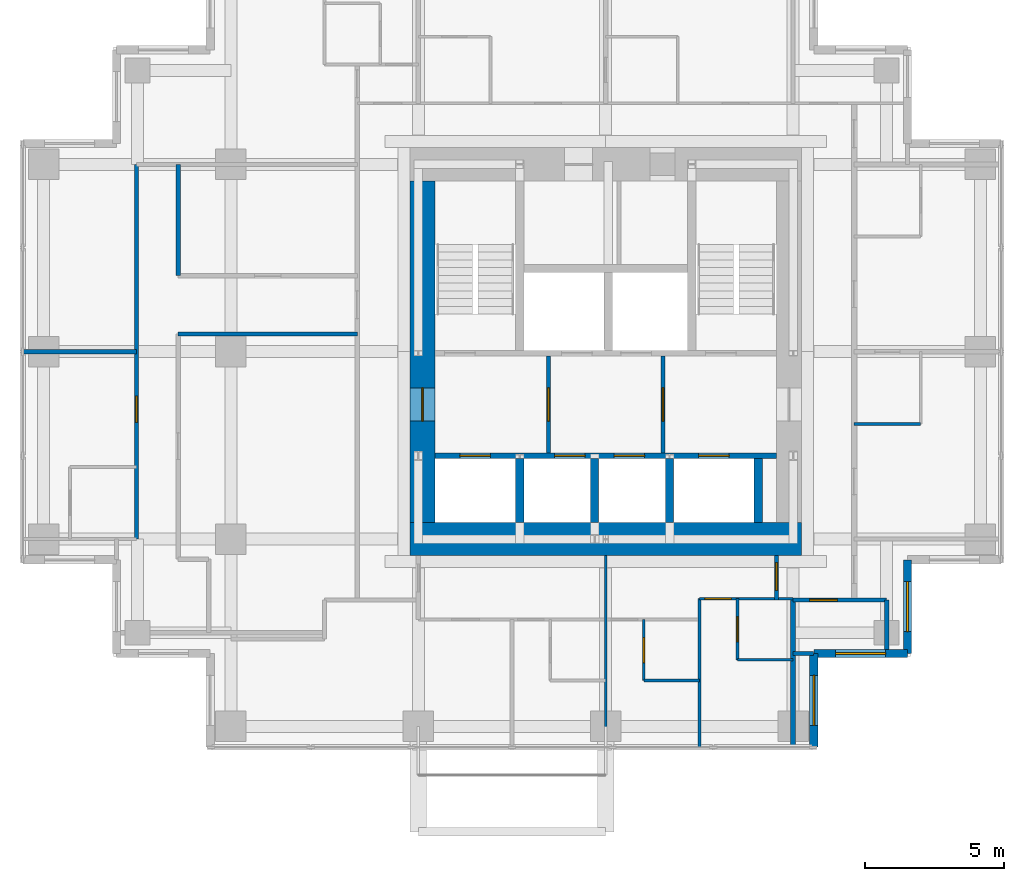
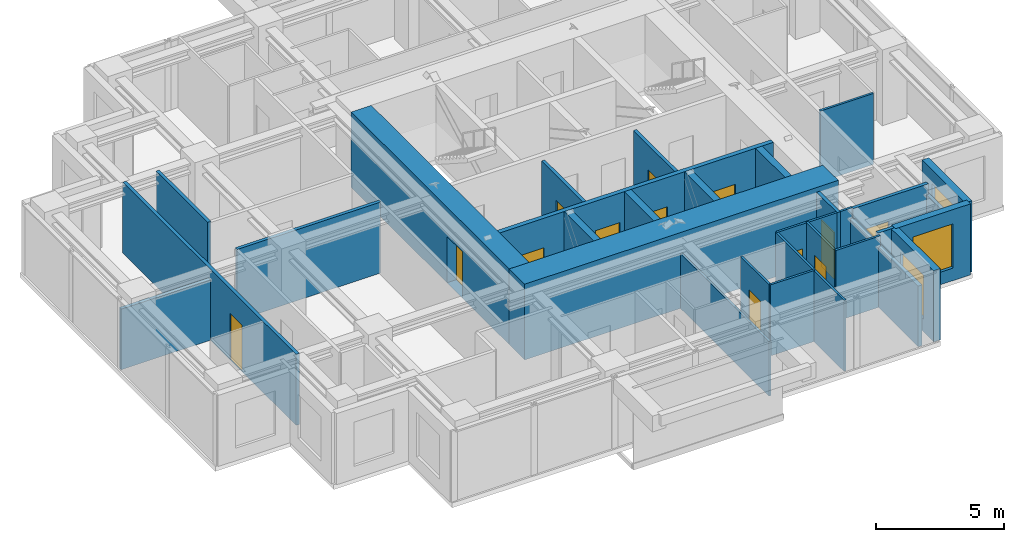
# One storey, part 4 of 7: 29 walls, 13 doors, 3 windows, 16 openings.
"""IFC4 building model written with IfcOpenShell, lengths in metres."""

from ifc_helpers import new_model, si_unit, direction, frame, frame_2d, origin, place, context, subcontext, project, spatial, rectangle, extrude, material, layer, layer_set, type_object, element, fill, save


model = new_model("IFC4")

# Units and contexts
model_context = context("Model", 3, precision=1e-05, world=origin(), true_north=direction((0.0, 1.0)))
body_context = subcontext(model_context, "Body", "Model", "MODEL_VIEW")
ifc_project = project(units=[si_unit("LENGTHUNIT", "METRE"), si_unit("AREAUNIT", "SQUARE_METRE"), si_unit("VOLUMEUNIT", "CUBIC_METRE"), si_unit("PLANEANGLEUNIT", "RADIAN"), si_unit("MASSUNIT", "GRAM", prefix="KILO")], contexts=[model_context])

# Site, building, storey
site_placement = place(None, origin())
site = spatial("IfcSite", under=ifc_project, at=site_placement, CompositionType="ELEMENT")
building_placement = place(site_placement, origin())
building = spatial("IfcBuilding", under=site, at=building_placement, Name="Nyansa Garden Tower", CompositionType="ELEMENT")
storey_placement = place(building_placement, frame((0.0, 0.0, 215.10009765625)))
storey = spatial("IfcBuildingStorey", under=building, at=storey_placement, Name="L58", CompositionType="ELEMENT", Elevation=215.10009765625)

# Wall
ifc_material_1 = material(Name="Dense blockwork, plastered both sides, 55 dB", Category="masonry")
ifc_layer_1 = layer(ifc_material_1, 0.175048828125)
ifc_layer_set_1 = layer_set([ifc_layer_1], Name="Acoustic party wall PW175")
wall_type_1 = type_object("IfcWallType", Name="Acoustic party wall PW175", PredefinedType="PARTITIONING", material=ifc_layer_set_1)
wall_1_placement = place(storey_placement, frame((27.0, 6.01611328125, 0.0), z_axis=(0.0, 0.0, 1.0), x_axis=(0.0, 1.0, 0.0)))
element("IfcWall", 1, at=wall_1_placement, inside=storey, type_object=wall_type_1, Name="Party wall", PredefinedType="PARTITIONING", context=body_context, shape_type="SweptSolid", body=[
    extrude(rectangle(XDim=5.333984375, YDim=0.175048828125, at=frame_2d((2.6669921875, 0.0))), origin(), (0.0, 0.0, 1.0), 2.876953125),
])

# Wall, openings, doors
ifc_material_2 = material(Name="Concrete C70/85", Category="concrete")
ifc_layer_2 = layer(ifc_material_2, 0.199951171875)
ifc_layer_set_2 = layer_set([ifc_layer_2], Name="Core inner wall CI200")
wall_type_2 = type_object("IfcWallType", Name="Core inner wall CI200", PredefinedType="SHEAR", material=ifc_layer_set_2)
wall_2_placement = place(storey_placement, frame((14.10009765625, 16.5, 0.0), z_axis=(0.0, 0.0, 1.0), x_axis=(1.0, 0.0, 0.0)))
wall_2 = element("IfcWall", 2, at=wall_2_placement, inside=storey, type_object=wall_type_2, Name="Core inner wall L58", PredefinedType="SHEAR", context=body_context, shape_type="SweptSolid", body=[
    extrude(rectangle(XDim=12.2998046875, YDim=0.199951171875, at=frame_2d((6.14990234375, 0.0))), origin(), (0.0, 0.0, 1.0), 3.599853515625),
])
opening_1_placement = place(wall_2_placement, frame((0.89990234375, 0.0, 0.0)))
opening_1 = element("IfcOpeningElement", 3, at=opening_1_placement, cuts=wall_2, Name="Opening LD-F", PredefinedType="OPENING", context=body_context, shape_type="SweptSolid", body=[
    extrude(rectangle(XDim=1.10009765625, YDim=2.199951171875, at=frame_2d((0.550048828125, 1.10009765625))), frame((0.0, 0.10986328125, 0.0), z_axis=(0.0, -1.0, 0.0), x_axis=(1.0, 0.0, 0.0)), (0.0, 0.0, 1.0), 0.219970703125),
])
opening_2_placement = place(wall_2_placement, frame((4.31005859375, 0.0, 0.0)))
opening_2 = element("IfcOpeningElement", 4, at=opening_2_placement, cuts=wall_2, Name="Opening LD-B", PredefinedType="OPENING", context=body_context, shape_type="SweptSolid", body=[
    extrude(rectangle(XDim=1.10009765625, YDim=2.199951171875, at=frame_2d((0.550048828125, 1.10009765625))), frame((0.0, 0.10986328125, 0.0), z_axis=(0.0, -1.0, 0.0), x_axis=(1.0, 0.0, 0.0)), (0.0, 0.0, 1.0), 0.219970703125),
])
opening_3_placement = place(wall_2_placement, frame((6.449951171875, 0.0, 0.0)))
opening_3 = element("IfcOpeningElement", 5, at=opening_3_placement, cuts=wall_2, Name="Opening LD-B", PredefinedType="OPENING", context=body_context, shape_type="SweptSolid", body=[
    extrude(rectangle(XDim=1.10009765625, YDim=2.199951171875, at=frame_2d((0.550048828125, 1.10009765625))), frame((0.0, 0.10986328125, 0.0), z_axis=(0.0, -1.0, 0.0), x_axis=(1.0, 0.0, 0.0)), (0.0, 0.0, 1.0), 0.219970703125),
])
opening_4_placement = place(wall_2_placement, frame((9.5, 0.0, 0.0)))
opening_4 = element("IfcOpeningElement", 6, at=opening_4_placement, cuts=wall_2, Name="Opening LD-F", PredefinedType="OPENING", context=body_context, shape_type="SweptSolid", body=[
    extrude(rectangle(XDim=1.10009765625, YDim=2.199951171875, at=frame_2d((0.550048828125, 1.10009765625))), frame((0.0, 0.10986328125, 0.0), z_axis=(0.0, -1.0, 0.0), x_axis=(1.0, 0.0, 0.0)), (0.0, 0.0, 1.0), 0.219970703125),
])
ifc_material_3 = material(Name="Stainless steel centre-opening landing door of the high-rise lift, E 120", Category="steel")
door_type_1 = type_object("IfcDoorType", Name="Lift landing door LD-B 1100x2200", OperationType="DOUBLE_DOOR_SLIDING", PredefinedType="DOOR", material=ifc_material_3)
door_1_placement = place(opening_2_placement, origin())
door_1 = element("IfcDoor", 7, at=door_1_placement, inside=storey, type_object=door_type_1, Name="Landing door B1", OperationType="DOUBLE_DOOR_SLIDING", OverallHeight=2.199951171875, OverallWidth=1.10009765625, PredefinedType="DOOR", context=body_context, shape_type="SweptSolid", body=[
    extrude(rectangle(XDim=1.10009765625, YDim=2.199951171875, at=frame_2d((0.550048828125, 1.10009765625))), frame((0.0, 0.02490234375, 0.0), z_axis=(0.0, -1.0, 0.0), x_axis=(1.0, 0.0, 0.0)), (0.0, 0.0, 1.0), 0.050048828125),
])
fill(opening_2, door_1)
door_2_placement = place(opening_3_placement, origin())
door_2 = element("IfcDoor", 8, at=door_2_placement, inside=storey, type_object=door_type_1, Name="Landing door B2", OperationType="DOUBLE_DOOR_SLIDING", OverallHeight=2.199951171875, OverallWidth=1.10009765625, PredefinedType="DOOR", context=body_context, shape_type="SweptSolid", body=[
    extrude(rectangle(XDim=1.10009765625, YDim=2.199951171875, at=frame_2d((0.550048828125, 1.10009765625))), frame((0.0, 0.02490234375, 0.0), z_axis=(0.0, -1.0, 0.0), x_axis=(1.0, 0.0, 0.0)), (0.0, 0.0, 1.0), 0.050048828125),
])
fill(opening_3, door_2)
ifc_material_4 = material(Name="Stainless steel centre-opening landing door of the firefighting lift, EN 81-72, E 120", Category="steel")
door_type_2 = type_object("IfcDoorType", Name="Lift landing door LD-F 1100x2200", OperationType="DOUBLE_DOOR_SLIDING", PredefinedType="DOOR", material=ifc_material_4)
door_3_placement = place(opening_1_placement, origin())
door_3 = element("IfcDoor", 9, at=door_3_placement, inside=storey, type_object=door_type_2, Name="Landing door FF1", OperationType="DOUBLE_DOOR_SLIDING", OverallHeight=2.199951171875, OverallWidth=1.10009765625, PredefinedType="DOOR", context=body_context, shape_type="SweptSolid", body=[
    extrude(rectangle(XDim=1.10009765625, YDim=2.199951171875, at=frame_2d((0.550048828125, 1.10009765625))), frame((0.0, 0.02490234375, 0.0), z_axis=(0.0, -1.0, 0.0), x_axis=(1.0, 0.0, 0.0)), (0.0, 0.0, 1.0), 0.050048828125),
])
fill(opening_1, door_3)
door_4_placement = place(opening_4_placement, origin())
door_4 = element("IfcDoor", 10, at=door_4_placement, inside=storey, type_object=door_type_2, Name="Landing door FF2", OperationType="DOUBLE_DOOR_SLIDING", OverallHeight=2.199951171875, OverallWidth=1.10009765625, PredefinedType="DOOR", context=body_context, shape_type="SweptSolid", body=[
    extrude(rectangle(XDim=1.10009765625, YDim=2.199951171875, at=frame_2d((0.550048828125, 1.10009765625))), frame((0.0, 0.02490234375, 0.0), z_axis=(0.0, -1.0, 0.0), x_axis=(1.0, 0.0, 0.0)), (0.0, 0.0, 1.0), 0.050048828125),
])
fill(opening_4, door_4)

# Walls
ifc_material_5 = material(Name="Concrete C70/85", Category="concrete")
ifc_layer_3 = layer(ifc_material_5, 0.300048828125)
ifc_layer_set_3 = layer_set([ifc_layer_3], Name="Core inner wall CI300")
wall_type_3 = type_object("IfcWallType", Name="Core inner wall CI300", PredefinedType="SHEAR", material=ifc_layer_set_3)
for number, where, z_axis, x_axis, name in (
    (11, (17.14990234375, 14.10009765625, 0.0), (0.0, 0.0, 1.0), (0.0, 1.0, 0.0), "Core inner wall L58"),
    (12, (19.85009765625, 14.10009765625, 0.0), (0.0, 0.0, 1.0), (0.0, 1.0, 0.0), "Core inner wall L58"),
    (13, (22.550048828125, 14.10009765625, 0.0), (0.0, 0.0, 1.0), (0.0, 1.0, 0.0), "Core inner wall L58"),
    (14, (25.75, 14.10009765625, 0.0), (0.0, 0.0, 1.0), (0.0, 1.0, 0.0), "Core inner wall L58"),
):
    element("IfcWall", number, at=place(storey_placement, frame(where, z_axis=z_axis, x_axis=x_axis)), inside=storey, type_object=wall_type_3, Name=name, PredefinedType="SHEAR", context=body_context, shape_type="SweptSolid", body=[
        extrude(rectangle(XDim=2.2998046875, YDim=0.300048828125, at=frame_2d((1.14990234375, 0.0))), origin(), (0.0, 0.0, 1.0), 3.599853515625),
    ])
ifc_material_6 = material(Name="Concrete C80/95", Category="concrete")
ifc_layer_4 = layer(ifc_material_6, 1.199951171875)
ifc_layer_set_4 = layer_set([ifc_layer_4], Name="Core wall CW1200")
wall_type_4 = type_object("IfcWallType", Name="Core wall CW1200", PredefinedType="SHEAR", material=ifc_layer_set_4)
wall_3_placement = place(storey_placement, frame((13.199951171875, 13.5, 0.0), z_axis=(0.0, 0.0, 1.0), x_axis=(1.0, 0.0, 0.0)))
element("IfcWall", 15, at=wall_3_placement, inside=storey, type_object=wall_type_4, Name="Core wall S L58", PredefinedType="SHEAR", context=body_context, shape_type="SweptSolid", body=[
    extrude(rectangle(XDim=14.10009765625, YDim=1.199951171875, at=frame_2d((7.050048828125, 0.0))), origin(), (0.0, 0.0, 1.0), 3.599853515625),
])

# Wall, opening, door
ifc_material_7 = material(Name="Concrete C80/95", Category="concrete")
ifc_layer_5 = layer(ifc_material_7, 0.89990234375)
ifc_layer_set_5 = layer_set([ifc_layer_5], Name="Core wall CW900")
wall_type_5 = type_object("IfcWallType", Name="Core wall CW900", PredefinedType="SHEAR", material=ifc_layer_set_5)
wall_4_placement = place(storey_placement, frame((13.64990234375, 26.39990234375, 0.0), z_axis=(0.0, 0.0, 1.0), x_axis=(0.0, -1.0, 0.0)))
wall_4 = element("IfcWall", 16, at=wall_4_placement, inside=storey, type_object=wall_type_5, Name="Core wall W L58", PredefinedType="SHEAR", context=body_context, shape_type="SweptSolid", body=[
    extrude(rectangle(XDim=12.2998046875, YDim=0.89990234375, at=frame_2d((6.14990234375, 0.0))), origin(), (0.0, 0.0, 1.0), 3.599853515625),
])
opening_5_placement = place(wall_4_placement, frame((7.449951171875, 0.0, 0.0)))
opening_5 = element("IfcOpeningElement", 17, at=opening_5_placement, cuts=wall_4, Name="Opening D06", PredefinedType="OPENING", context=body_context, shape_type="SweptSolid", body=[
    extrude(rectangle(XDim=1.199951171875, YDim=2.199951171875, at=frame_2d((0.60009765625, 1.10009765625))), frame((0.0, 0.4599609375, 0.0), z_axis=(0.0, -1.0, 0.0), x_axis=(1.0, 0.0, 0.0)), (0.0, 0.0, 1.0), 0.919921875),
])
ifc_material_8 = material(Name="Steel door, 120 minute fire resisting", Category="steel")
door_type_3 = type_object("IfcDoorType", Name="Lobby door D06 1200x2200", OperationType="DOUBLE_DOOR_SINGLE_SWING", PredefinedType="DOOR", material=ifc_material_8)
door_5_placement = place(opening_5_placement, origin())
door_5 = element("IfcDoor", 18, at=door_5_placement, inside=storey, type_object=door_type_3, Name="Lift lobby door west", OperationType="DOUBLE_DOOR_SINGLE_SWING", OverallHeight=2.199951171875, OverallWidth=1.199951171875, PredefinedType="DOOR", context=body_context, shape_type="SweptSolid", body=[
    extrude(rectangle(XDim=1.199951171875, YDim=2.199951171875, at=frame_2d((0.60009765625, 1.10009765625))), frame((0.0, 0.02490234375, 0.0), z_axis=(0.0, -1.0, 0.0), x_axis=(1.0, 0.0, 0.0)), (0.0, 0.0, 1.0), 0.050048828125),
])
fill(opening_5, door_5)

ifc_material_9 = material(Name="Blockwork, plastered both sides", Category="masonry")
ifc_layer_6 = layer(ifc_material_9, 0.14990234375)
ifc_layer_set_6 = layer_set([ifc_layer_6], Name="Partition PW150")
wall_type_6 = type_object("IfcWallType", Name="Partition PW150", PredefinedType="PARTITIONING", material=ifc_layer_set_6)
wall_5_placement = place(storey_placement, frame((18.18505859375, 16.60009765625, 0.0), z_axis=(0.0, 0.0, 1.0), x_axis=(0.0, 1.0, 0.0)))
wall_5 = element("IfcWall", 19, at=wall_5_placement, inside=storey, type_object=wall_type_6, Name="Partition", PredefinedType="PARTITIONING", context=body_context, shape_type="SweptSolid", body=[
    extrude(rectangle(XDim=3.5, YDim=0.14990234375, at=frame_2d((1.75, 0.0))), origin(), (0.0, 0.0, 1.0), 3.375),
])
opening_6_placement = place(wall_5_placement, frame((1.14990234375, 0.0, 0.0)))
opening_6 = element("IfcOpeningElement", 20, at=opening_6_placement, cuts=wall_5, Name="Opening D06", PredefinedType="OPENING", context=body_context, shape_type="SweptSolid", body=[
    extrude(rectangle(XDim=1.199951171875, YDim=2.199951171875, at=frame_2d((0.60009765625, 1.10009765625))), frame((0.0, 0.0849609375, 0.0), z_axis=(0.0, -1.0, 0.0), x_axis=(1.0, 0.0, 0.0)), (0.0, 0.0, 1.0), 0.169921875),
])
door_6_placement = place(opening_6_placement, origin())
door_6 = element("IfcDoor", 21, at=door_6_placement, inside=storey, type_object=door_type_3, Name="Passenger lift lobby door", OperationType="DOUBLE_DOOR_SINGLE_SWING", OverallHeight=2.199951171875, OverallWidth=1.199951171875, PredefinedType="DOOR", context=body_context, shape_type="SweptSolid", body=[
    extrude(rectangle(XDim=1.199951171875, YDim=2.199951171875, at=frame_2d((0.60009765625, 1.10009765625))), frame((0.0, 0.02490234375, 0.0), z_axis=(0.0, -1.0, 0.0), x_axis=(1.0, 0.0, 0.0)), (0.0, 0.0, 1.0), 0.050048828125),
])
fill(opening_6, door_6)

wall_6_placement = place(storey_placement, frame((22.31494140625, 16.60009765625, 0.0), z_axis=(0.0, 0.0, 1.0), x_axis=(0.0, 1.0, 0.0)))
wall_6 = element("IfcWall", 22, at=wall_6_placement, inside=storey, type_object=wall_type_6, Name="Partition", PredefinedType="PARTITIONING", context=body_context, shape_type="SweptSolid", body=[
    extrude(rectangle(XDim=3.5, YDim=0.14990234375, at=frame_2d((1.75, 0.0))), origin(), (0.0, 0.0, 1.0), 3.375),
])
opening_7_placement = place(wall_6_placement, frame((1.14990234375, 0.0, 0.0)))
opening_7 = element("IfcOpeningElement", 23, at=opening_7_placement, cuts=wall_6, Name="Opening D06", PredefinedType="OPENING", context=body_context, shape_type="SweptSolid", body=[
    extrude(rectangle(XDim=1.199951171875, YDim=2.199951171875, at=frame_2d((0.60009765625, 1.10009765625))), frame((0.0, 0.0849609375, 0.0), z_axis=(0.0, -1.0, 0.0), x_axis=(1.0, 0.0, 0.0)), (0.0, 0.0, 1.0), 0.169921875),
])
door_7_placement = place(opening_7_placement, origin())
door_7 = element("IfcDoor", 24, at=door_7_placement, inside=storey, type_object=door_type_3, Name="Passenger lift lobby door", OperationType="DOUBLE_DOOR_SINGLE_SWING", OverallHeight=2.199951171875, OverallWidth=1.199951171875, PredefinedType="DOOR", context=body_context, shape_type="SweptSolid", body=[
    extrude(rectangle(XDim=1.199951171875, YDim=2.199951171875, at=frame_2d((0.60009765625, 1.10009765625))), frame((0.0, 0.02490234375, 0.0), z_axis=(0.0, -1.0, 0.0), x_axis=(1.0, 0.0, 0.0)), (0.0, 0.0, 1.0), 0.050048828125),
])
fill(opening_7, door_7)

# Wall
wall_7_placement = place(storey_placement, frame((-0.73388671875, 20.25, 0.0), z_axis=(0.0, 0.0, 1.0), x_axis=(1.0, 0.0, 0.0)))
element("IfcWall", 25, at=wall_7_placement, inside=storey, type_object=wall_type_6, Name="Partition", PredefinedType="PARTITIONING", context=body_context, shape_type="SweptSolid", body=[
    extrude(rectangle(XDim=4.083984375, YDim=0.14990234375, at=frame_2d((2.0419921875, 0.0))), origin(), (0.0, 0.0, 1.0), 2.876953125),
])

# Wall, opening, door
wall_8_placement = place(storey_placement, frame((3.35009765625, 13.5, 0.0), z_axis=(0.0, 0.0, 1.0), x_axis=(0.0, 1.0, 0.0)))
wall_8 = element("IfcWall", 26, at=wall_8_placement, inside=storey, type_object=wall_type_6, Name="Partition", PredefinedType="PARTITIONING", context=body_context, shape_type="SweptSolid", body=[
    extrude(rectangle(XDim=13.5, YDim=0.14990234375, at=frame_2d((6.75, 0.0))), origin(), (0.0, 0.0, 1.0), 3.375),
])
opening_8_placement = place(wall_8_placement, frame((4.199951171875, 0.0, 0.0)))
opening_8 = element("IfcOpeningElement", 27, at=opening_8_placement, cuts=wall_8, Name="Opening D14", PredefinedType="OPENING", context=body_context, shape_type="SweptSolid", body=[
    extrude(rectangle(XDim=0.949951171875, YDim=2.199951171875, at=frame_2d((0.47509765625, 1.10009765625))), frame((0.0, 0.0849609375, 0.0), z_axis=(0.0, -1.0, 0.0), x_axis=(1.0, 0.0, 0.0)), (0.0, 0.0, 1.0), 0.169921875),
])
ifc_material_10 = material(Name="Timber flush door, 60 minute fire resisting, self-closing", Category="wood")
door_type_4 = type_object("IfcDoorType", Name="Studio entrance door D14 950x2200", OperationType="SINGLE_SWING_LEFT", PredefinedType="DOOR", material=ifc_material_10)
door_8_placement = place(opening_8_placement, origin())
door_8 = element("IfcDoor", 28, at=door_8_placement, inside=storey, type_object=door_type_4, Name="Door L58-041", OperationType="SINGLE_SWING_LEFT", OverallHeight=2.199951171875, OverallWidth=0.949951171875, PredefinedType="DOOR", context=body_context, shape_type="SweptSolid", body=[
    extrude(rectangle(XDim=0.949951171875, YDim=2.199951171875, at=frame_2d((0.47509765625, 1.10009765625))), frame((0.0, 0.02490234375, 0.0), z_axis=(0.0, -1.0, 0.0), x_axis=(1.0, 0.0, 0.0)), (0.0, 0.0, 1.0), 0.050048828125),
])
fill(opening_8, door_8)

# Walls
wall_9_placement = place(storey_placement, frame((4.85009765625, 20.886962890625, 0.0), z_axis=(0.0, 0.0, 1.0), x_axis=(1.0, 0.0, 0.0)))
element("IfcWall", 29, at=wall_9_placement, inside=storey, type_object=wall_type_6, Name="Partition", PredefinedType="PARTITIONING", context=body_context, shape_type="SweptSolid", body=[
    extrude(rectangle(XDim=6.449951171875, YDim=0.14990234375, at=frame_2d((3.22509765625, 0.0))), origin(), (0.0, 0.0, 1.0), 3.375),
])
wall_10_placement = place(storey_placement, frame((4.85009765625, 22.987548828125, 0.0), z_axis=(0.0, 0.0, 1.0), x_axis=(0.0, 1.0, 0.0)))
element("IfcWall", 30, at=wall_10_placement, inside=storey, type_object=wall_type_6, Name="Partition", PredefinedType="PARTITIONING", context=body_context, shape_type="SweptSolid", body=[
    extrude(rectangle(XDim=4.012451171875, YDim=0.14990234375, at=frame_2d((2.00634765625, 0.0))), origin(), (0.0, 0.0, 1.0), 3.375),
])

# Wall, opening, door
wall_11_placement = place(storey_placement, frame((26.39990234375, 11.300048828125, 0.0), z_axis=(0.0, 0.0, 1.0), x_axis=(0.0, 1.0, 0.0)))
wall_11 = element("IfcWall", 31, at=wall_11_placement, inside=storey, type_object=wall_type_6, Name="Partition", PredefinedType="PARTITIONING", context=body_context, shape_type="SweptSolid", body=[
    extrude(rectangle(XDim=1.599853515625, YDim=0.14990234375, at=frame_2d((0.7998046875, 0.0))), origin(), (0.0, 0.0, 1.0), 3.375),
])
opening_9_placement = place(wall_11_placement, frame((0.35009765625, 0.0, 0.0)))
opening_9 = element("IfcOpeningElement", 32, at=opening_9_placement, cuts=wall_11, Name="Opening D03", PredefinedType="OPENING", context=body_context, shape_type="SweptSolid", body=[
    extrude(rectangle(XDim=1.0, YDim=2.199951171875, at=frame_2d((0.5, 1.10009765625))), frame((0.0, 0.0849609375, 0.0), z_axis=(0.0, -1.0, 0.0), x_axis=(1.0, 0.0, 0.0)), (0.0, 0.0, 1.0), 0.169921875),
])
ifc_material_11 = material(Name="Timber flush door, 60 minute fire resisting", Category="wood")
door_type_5 = type_object("IfcDoorType", Name="Cluster entrance door D03 1000x2200", OperationType="SINGLE_SWING_LEFT", PredefinedType="DOOR", material=ifc_material_11)
door_9_placement = place(opening_9_placement, origin())
door_9 = element("IfcDoor", 33, at=door_9_placement, inside=storey, type_object=door_type_5, Name="Door L58-025", OperationType="SINGLE_SWING_LEFT", OverallHeight=2.199951171875, OverallWidth=1.0, PredefinedType="DOOR", context=body_context, shape_type="SweptSolid", body=[
    extrude(rectangle(XDim=1.0, YDim=2.199951171875, at=frame_2d((0.5, 1.10009765625))), frame((0.0, 0.02490234375, 0.0), z_axis=(0.0, -1.0, 0.0), x_axis=(1.0, 0.0, 0.0)), (0.0, 0.0, 1.0), 0.050048828125),
])
fill(opening_9, door_9)

wall_12_placement = place(storey_placement, frame((27.0, 11.300048828125, 0.0), z_axis=(0.0, 0.0, 1.0), x_axis=(1.0, 0.0, 0.0)))
wall_12 = element("IfcWall", 34, at=wall_12_placement, inside=storey, type_object=wall_type_6, Name="Partition", PredefinedType="PARTITIONING", context=body_context, shape_type="SweptSolid", body=[
    extrude(rectangle(XDim=3.375, YDim=0.14990234375, at=frame_2d((1.6875, 0.0))), origin(), (0.0, 0.0, 1.0), 3.375),
])
opening_10_placement = place(wall_12_placement, frame((0.60009765625, 0.0, 0.0)))
opening_10 = element("IfcOpeningElement", 35, at=opening_10_placement, cuts=wall_12, Name="Opening D03", PredefinedType="OPENING", context=body_context, shape_type="SweptSolid", body=[
    extrude(rectangle(XDim=1.0, YDim=2.199951171875, at=frame_2d((0.5, 1.10009765625))), frame((0.0, 0.0849609375, 0.0), z_axis=(0.0, -1.0, 0.0), x_axis=(1.0, 0.0, 0.0)), (0.0, 0.0, 1.0), 0.169921875),
])
door_10_placement = place(opening_10_placement, origin())
door_10 = element("IfcDoor", 36, at=door_10_placement, inside=storey, type_object=door_type_5, Name="Door L58-024", OperationType="SINGLE_SWING_LEFT", OverallHeight=2.199951171875, OverallWidth=1.0, PredefinedType="DOOR", context=body_context, shape_type="SweptSolid", body=[
    extrude(rectangle(XDim=1.0, YDim=2.199951171875, at=frame_2d((0.5, 1.10009765625))), frame((0.0, 0.02490234375, 0.0), z_axis=(0.0, -1.0, 0.0), x_axis=(1.0, 0.0, 0.0)), (0.0, 0.0, 1.0), 0.050048828125),
])
fill(opening_10, door_10)

# Walls
wall_13_placement = place(storey_placement, frame((27.0, 9.375, 0.0), z_axis=(0.0, 0.0, 1.0), x_axis=(1.0, 0.0, 0.0)))
element("IfcWall", 37, at=wall_13_placement, inside=storey, type_object=wall_type_6, Name="Partition", PredefinedType="PARTITIONING", context=body_context, shape_type="SweptSolid", body=[
    extrude(rectangle(XDim=0.73388671875, YDim=0.14990234375, at=frame_2d((0.366943359375, 0.0))), origin(), (0.0, 0.0, 1.0), 3.375),
])
wall_14_placement = place(storey_placement, frame((30.375, 9.52490234375, 0.0), z_axis=(0.0, 0.0, 1.0), x_axis=(0.0, 1.0, 0.0)))
element("IfcWall", 38, at=wall_14_placement, inside=storey, type_object=wall_type_6, Name="Partition", PredefinedType="PARTITIONING", context=body_context, shape_type="SweptSolid", body=[
    extrude(rectangle(XDim=1.775146484375, YDim=0.14990234375, at=frame_2d((0.8876953125, 0.0))), origin(), (0.0, 0.0, 1.0), 2.876953125),
])

# Wall, opening, window
ifc_material_12 = material(Name="Turquoise glazed tile on concrete blockwork", Category="masonry")
ifc_layer_7 = layer(ifc_material_12, 0.300048828125)
ifc_layer_set_7 = layer_set([ifc_layer_7], Name="Tiled corner wall TW300")
wall_type_7 = type_object("IfcWallType", Name="Tiled corner wall TW300", PredefinedType="SOLIDWALL", material=ifc_layer_set_7)
wall_15_placement = place(storey_placement, frame((27.75, 6.0, 0.0), z_axis=(0.0, 0.0, 1.0), x_axis=(0.0, 1.0, 0.0)))
wall_15 = element("IfcWall", 39, at=wall_15_placement, inside=storey, type_object=wall_type_7, Name="Tiled corner wall L58", PredefinedType="SOLIDWALL", context=body_context, shape_type="SweptSolid", body=[
    extrude(rectangle(XDim=3.375, YDim=0.300048828125, at=frame_2d((1.6875, 0.0))), origin(), (0.0, 0.0, 1.0), 3.375),
])
opening_11_placement = place(wall_15_placement, frame((0.78759765625, 0.0, 0.60009765625)))
opening_11 = element("IfcOpeningElement", 40, at=opening_11_placement, cuts=wall_15, Name="Opening W2", PredefinedType="OPENING", context=body_context, shape_type="SweptSolid", body=[
    extrude(rectangle(XDim=1.800048828125, YDim=2.10009765625, at=frame_2d((0.89990234375, 1.050048828125))), frame((0.0, 0.159912109375, 0.0), z_axis=(0.0, -1.0, 0.0), x_axis=(1.0, 0.0, 0.0)), (0.0, 0.0, 1.0), 0.320068359375),
])
ifc_material_13 = material(Name="Black aluminium frame, dark tinted double glazing", Category="aluminium")
window_type = type_object("IfcWindowType", Name="Window W2 1800x2100", PartitioningType="SINGLE_PANEL", PredefinedType="WINDOW", material=ifc_material_13)
window_1_placement = place(opening_11_placement, origin())
window_1 = element("IfcWindow", 41, at=window_1_placement, inside=storey, type_object=window_type, Name="Corner window L58", OverallHeight=2.10009765625, OverallWidth=1.800048828125, PartitioningType="SINGLE_PANEL", PredefinedType="WINDOW", context=body_context, shape_type="SweptSolid", body=[
    extrude(rectangle(XDim=1.800048828125, YDim=2.10009765625, at=frame_2d((0.89990234375, 1.050048828125))), frame((0.0, 0.030029296875, 0.0), z_axis=(0.0, -1.0, 0.0), x_axis=(1.0, 0.0, 0.0)), (0.0, 0.0, 1.0), 0.06005859375),
])
fill(opening_11, window_1)

wall_16_placement = place(storey_placement, frame((27.75, 9.375, 0.0), z_axis=(0.0, 0.0, 1.0), x_axis=(1.0, 0.0, 0.0)))
wall_16 = element("IfcWall", 42, at=wall_16_placement, inside=storey, type_object=wall_type_7, Name="Tiled corner wall L58", PredefinedType="SOLIDWALL", context=body_context, shape_type="SweptSolid", body=[
    extrude(rectangle(XDim=3.375, YDim=0.300048828125, at=frame_2d((1.6875, 0.0))), origin(), (0.0, 0.0, 1.0), 3.375),
])
opening_12_placement = place(wall_16_placement, frame((0.78759765625, 0.0, 0.60009765625)))
opening_12 = element("IfcOpeningElement", 43, at=opening_12_placement, cuts=wall_16, Name="Opening W2", PredefinedType="OPENING", context=body_context, shape_type="SweptSolid", body=[
    extrude(rectangle(XDim=1.800048828125, YDim=2.10009765625, at=frame_2d((0.89990234375, 1.050048828125))), frame((0.0, 0.159912109375, 0.0), z_axis=(0.0, -1.0, 0.0), x_axis=(1.0, 0.0, 0.0)), (0.0, 0.0, 1.0), 0.320068359375),
])
window_2_placement = place(opening_12_placement, origin())
window_2 = element("IfcWindow", 44, at=window_2_placement, inside=storey, type_object=window_type, Name="Corner window L58", OverallHeight=2.10009765625, OverallWidth=1.800048828125, PartitioningType="SINGLE_PANEL", PredefinedType="WINDOW", context=body_context, shape_type="SweptSolid", body=[
    extrude(rectangle(XDim=1.800048828125, YDim=2.10009765625, at=frame_2d((0.89990234375, 1.050048828125))), frame((0.0, 0.030029296875, 0.0), z_axis=(0.0, -1.0, 0.0), x_axis=(1.0, 0.0, 0.0)), (0.0, 0.0, 1.0), 0.06005859375),
])
fill(opening_12, window_2)

wall_17_placement = place(storey_placement, frame((31.125, 9.375, 0.0), z_axis=(0.0, 0.0, 1.0), x_axis=(0.0, 1.0, 0.0)))
wall_17 = element("IfcWall", 45, at=wall_17_placement, inside=storey, type_object=wall_type_7, Name="Tiled corner wall L58", PredefinedType="SOLIDWALL", context=body_context, shape_type="SweptSolid", body=[
    extrude(rectangle(XDim=3.375, YDim=0.300048828125, at=frame_2d((1.6875, 0.0))), origin(), (0.0, 0.0, 1.0), 3.375),
])
opening_13_placement = place(wall_17_placement, frame((0.78759765625, 0.0, 0.60009765625)))
opening_13 = element("IfcOpeningElement", 46, at=opening_13_placement, cuts=wall_17, Name="Opening W2", PredefinedType="OPENING", context=body_context, shape_type="SweptSolid", body=[
    extrude(rectangle(XDim=1.800048828125, YDim=2.10009765625, at=frame_2d((0.89990234375, 1.050048828125))), frame((0.0, 0.159912109375, 0.0), z_axis=(0.0, -1.0, 0.0), x_axis=(1.0, 0.0, 0.0)), (0.0, 0.0, 1.0), 0.320068359375),
])
window_3_placement = place(opening_13_placement, origin())
window_3 = element("IfcWindow", 47, at=window_3_placement, inside=storey, type_object=window_type, Name="Corner window L58", OverallHeight=2.10009765625, OverallWidth=1.800048828125, PartitioningType="SINGLE_PANEL", PredefinedType="WINDOW", context=body_context, shape_type="SweptSolid", body=[
    extrude(rectangle(XDim=1.800048828125, YDim=2.10009765625, at=frame_2d((0.89990234375, 1.050048828125))), frame((0.0, 0.030029296875, 0.0), z_axis=(0.0, -1.0, 0.0), x_axis=(1.0, 0.0, 0.0)), (0.0, 0.0, 1.0), 0.06005859375),
])
fill(opening_13, window_3)

# Wall
ifc_material_14 = material(Name="Moisture resistant board on steel studs, tiled", Category="steel")
ifc_layer_8 = layer(ifc_material_14, 0.10009765625)
ifc_layer_set_8 = layer_set([ifc_layer_8], Name="Wet wall PW100")
wall_type_8 = type_object("IfcWallType", Name="Wet wall PW100", PredefinedType="PARTITIONING", material=ifc_layer_set_8)
wall_18_placement = place(storey_placement, frame((20.25, 6.01611328125, 0.0), z_axis=(0.0, 0.0, 1.0), x_axis=(0.0, 1.0, 0.0)))
element("IfcWall", 48, at=wall_18_placement, inside=storey, type_object=wall_type_8, Name="Wet wall", PredefinedType="PARTITIONING", context=body_context, shape_type="SweptSolid", body=[
    extrude(rectangle(XDim=6.8837890625, YDim=0.10009765625, at=frame_2d((3.44189453125, 0.0))), origin(), (0.0, 0.0, 1.0), 2.60986328125),
])

# Wall, opening, door
wall_19_placement = place(storey_placement, frame((21.625, 8.39990234375, 0.0), z_axis=(0.0, 0.0, 1.0), x_axis=(0.0, 1.0, 0.0)))
wall_19 = element("IfcWall", 49, at=wall_19_placement, inside=storey, type_object=wall_type_8, Name="Wet wall", PredefinedType="PARTITIONING", context=body_context, shape_type="SweptSolid", body=[
    extrude(rectangle(XDim=2.2001953125, YDim=0.10009765625, at=frame_2d((1.10009765625, 0.0))), origin(), (0.0, 0.0, 1.0), 3.375),
])
opening_14_placement = place(wall_19_placement, frame((0.64990234375, 0.0, 0.0)))
opening_14 = element("IfcOpeningElement", 50, at=opening_14_placement, cuts=wall_19, Name="Opening D02", PredefinedType="OPENING", context=body_context, shape_type="SweptSolid", body=[
    extrude(rectangle(XDim=0.89990234375, YDim=2.199951171875, at=frame_2d((0.449951171875, 1.10009765625))), frame((0.0, 0.06005859375, 0.0), z_axis=(0.0, -1.0, 0.0), x_axis=(1.0, 0.0, 0.0)), (0.0, 0.0, 1.0), 0.1201171875),
])
ifc_material_15 = material(Name="Timber flush door", Category="wood")
door_type_6 = type_object("IfcDoorType", Name="En-suite door D02 900x2200", OperationType="SINGLE_SWING_RIGHT", PredefinedType="DOOR", material=ifc_material_15)
door_11_placement = place(opening_14_placement, origin())
door_11 = element("IfcDoor", 51, at=door_11_placement, inside=storey, type_object=door_type_6, Name="Door L58-021", OperationType="SINGLE_SWING_RIGHT", OverallHeight=2.199951171875, OverallWidth=0.89990234375, PredefinedType="DOOR", context=body_context, shape_type="SweptSolid", body=[
    extrude(rectangle(XDim=0.89990234375, YDim=2.199951171875, at=frame_2d((0.449951171875, 1.10009765625))), frame((0.0, 0.02490234375, 0.0), z_axis=(0.0, -1.0, 0.0), x_axis=(1.0, 0.0, 0.0)), (0.0, 0.0, 1.0), 0.050048828125),
])
fill(opening_14, door_11)

# Walls
wall_20_placement = place(storey_placement, frame((21.625, 8.39990234375, 0.0), z_axis=(0.0, 0.0, 1.0), x_axis=(1.0, 0.0, 0.0)))
element("IfcWall", 52, at=wall_20_placement, inside=storey, type_object=wall_type_8, Name="Wet wall", PredefinedType="PARTITIONING", context=body_context, shape_type="SweptSolid", body=[
    extrude(rectangle(XDim=2.0, YDim=0.10009765625, at=frame_2d((1.0, 0.0))), origin(), (0.0, 0.0, 1.0), 3.375),
])
wall_21_placement = place(storey_placement, frame((23.625, 6.01611328125, 0.0), z_axis=(0.0, 0.0, 1.0), x_axis=(0.0, 1.0, 0.0)))
element("IfcWall", 53, at=wall_21_placement, inside=storey, type_object=wall_type_8, Name="Wet wall", PredefinedType="PARTITIONING", context=body_context, shape_type="SweptSolid", body=[
    extrude(rectangle(XDim=5.333984375, YDim=0.10009765625, at=frame_2d((2.6669921875, 0.0))), origin(), (0.0, 0.0, 1.0), 3.375),
])

# Wall, opening, door
wall_22_placement = place(storey_placement, frame((23.625, 11.35009765625, 0.0), z_axis=(0.0, 0.0, 1.0), x_axis=(1.0, 0.0, 0.0)))
wall_22 = element("IfcWall", 54, at=wall_22_placement, inside=storey, type_object=wall_type_8, Name="Wet wall", PredefinedType="PARTITIONING", context=body_context, shape_type="SweptSolid", body=[
    extrude(rectangle(XDim=3.375, YDim=0.10009765625, at=frame_2d((1.6875, 0.0))), origin(), (0.0, 0.0, 1.0), 3.375),
])
opening_15_placement = place(wall_22_placement, frame((0.199951171875, 0.0, 0.0)))
opening_15 = element("IfcOpeningElement", 55, at=opening_15_placement, cuts=wall_22, Name="Opening D14", PredefinedType="OPENING", context=body_context, shape_type="SweptSolid", body=[
    extrude(rectangle(XDim=0.949951171875, YDim=2.199951171875, at=frame_2d((0.47509765625, 1.10009765625))), frame((0.0, 0.06005859375, 0.0), z_axis=(0.0, -1.0, 0.0), x_axis=(1.0, 0.0, 0.0)), (0.0, 0.0, 1.0), 0.1201171875),
])
door_12_placement = place(opening_15_placement, origin())
door_12 = element("IfcDoor", 56, at=door_12_placement, inside=storey, type_object=door_type_4, Name="Door L58-022", OperationType="SINGLE_SWING_LEFT", OverallHeight=2.199951171875, OverallWidth=0.949951171875, PredefinedType="DOOR", context=body_context, shape_type="SweptSolid", body=[
    extrude(rectangle(XDim=0.949951171875, YDim=2.199951171875, at=frame_2d((0.47509765625, 1.10009765625))), frame((0.0, 0.02490234375, 0.0), z_axis=(0.0, -1.0, 0.0), x_axis=(1.0, 0.0, 0.0)), (0.0, 0.0, 1.0), 0.050048828125),
])
fill(opening_15, door_12)

wall_23_placement = place(storey_placement, frame((25.0, 9.14990234375, 0.0), z_axis=(0.0, 0.0, 1.0), x_axis=(0.0, 1.0, 0.0)))
wall_23 = element("IfcWall", 57, at=wall_23_placement, inside=storey, type_object=wall_type_8, Name="Wet wall", PredefinedType="PARTITIONING", context=body_context, shape_type="SweptSolid", body=[
    extrude(rectangle(XDim=2.2001953125, YDim=0.10009765625, at=frame_2d((1.10009765625, 0.0))), origin(), (0.0, 0.0, 1.0), 3.375),
])
opening_16_placement = place(wall_23_placement, frame((0.64990234375, 0.0, 0.0)))
opening_16 = element("IfcOpeningElement", 58, at=opening_16_placement, cuts=wall_23, Name="Opening D02", PredefinedType="OPENING", context=body_context, shape_type="SweptSolid", body=[
    extrude(rectangle(XDim=0.89990234375, YDim=2.199951171875, at=frame_2d((0.449951171875, 1.10009765625))), frame((0.0, 0.06005859375, 0.0), z_axis=(0.0, -1.0, 0.0), x_axis=(1.0, 0.0, 0.0)), (0.0, 0.0, 1.0), 0.1201171875),
])
door_13_placement = place(opening_16_placement, origin())
door_13 = element("IfcDoor", 59, at=door_13_placement, inside=storey, type_object=door_type_6, Name="Door L58-023", OperationType="SINGLE_SWING_RIGHT", OverallHeight=2.199951171875, OverallWidth=0.89990234375, PredefinedType="DOOR", context=body_context, shape_type="SweptSolid", body=[
    extrude(rectangle(XDim=0.89990234375, YDim=2.199951171875, at=frame_2d((0.449951171875, 1.10009765625))), frame((0.0, 0.02490234375, 0.0), z_axis=(0.0, -1.0, 0.0), x_axis=(1.0, 0.0, 0.0)), (0.0, 0.0, 1.0), 0.050048828125),
])
fill(opening_16, door_13)

# Walls
wall_24_placement = place(storey_placement, frame((25.0, 9.14990234375, 0.0), z_axis=(0.0, 0.0, 1.0), x_axis=(1.0, 0.0, 0.0)))
element("IfcWall", 60, at=wall_24_placement, inside=storey, type_object=wall_type_8, Name="Wet wall", PredefinedType="PARTITIONING", context=body_context, shape_type="SweptSolid", body=[
    extrude(rectangle(XDim=2.0, YDim=0.10009765625, at=frame_2d((1.0, 0.0))), origin(), (0.0, 0.0, 1.0), 3.375),
])
wall_25_placement = place(storey_placement, frame((29.199951171875, 17.64990234375, 0.0), z_axis=(0.0, 0.0, 1.0), x_axis=(1.0, 0.0, 0.0)))
element("IfcWall", 61, at=wall_25_placement, inside=storey, type_object=wall_type_8, Name="Wet wall", PredefinedType="PARTITIONING", context=body_context, shape_type="SweptSolid", body=[
    extrude(rectangle(XDim=2.400146484375, YDim=0.10009765625, at=frame_2d((1.2001953125, 0.0))), origin(), (0.0, 0.0, 1.0), 3.375),
])

save(model, "model.ifc")
